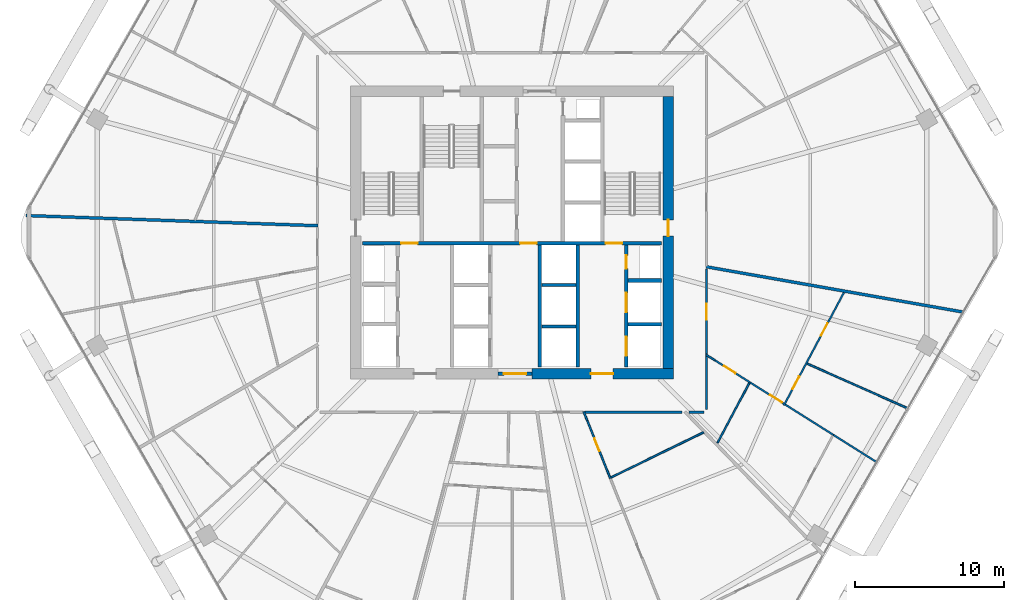
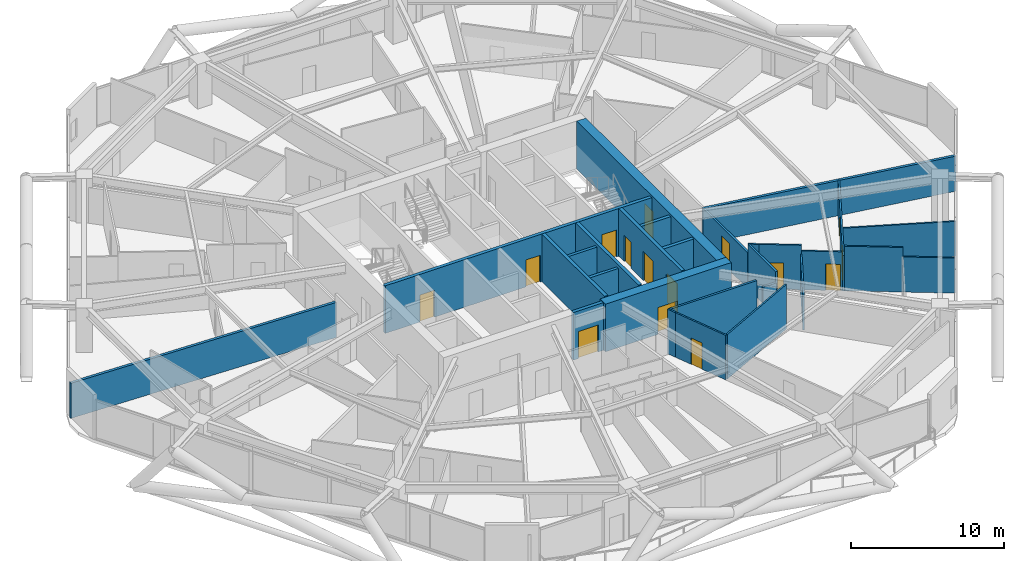
# One storey, part 29 of 35: 28 walls, 15 doors, 15 openings.
"""IFC4 building model written with IfcOpenShell, lengths in metres."""

import ifcopenshell
import ifcopenshell.guid

model = None  # the IFC model being written
_history = None  # IfcOwnerHistory: only IFC2X3 demands one
_inside = {}  # id of a spatial element -> (the spatial element, [elements in it])
_under = {}  # id of a project, library or spatial element -> (it, [spatial elements below it])
_declared = {}  # id of a project -> (the project, [libraries it declares])
_typed = {}  # id of a type object -> (the type object, [elements of that type])
_made_of = {}  # id of a material, layer set ... -> (it, [elements and type objects made of it])


def new_model(schema):
    """Start an empty IFC model of exactly this schema.

    Asked for "IFC4X3", IfcOpenShell would pick the latest addendum, in which some entities
    have other attributes; the version numbers below select the first issue.
    IFC2X3 requires an IfcOwnerHistory on every rooted entity: one is made here for all.
    """
    global model, _history
    if schema == "IFC4X3":
        model = ifcopenshell.file(schema_version=(4, 3, 0, 0))
    else:
        model = ifcopenshell.file(schema=schema)
    _inside.clear()
    _under.clear()
    _declared.clear()
    _typed.clear()
    _made_of.clear()
    _history = None
    if model.schema == "IFC2X3":
        org = make("IfcOrganization", Name="unknown")
        user = make(
            "IfcPersonAndOrganization",
            ThePerson=make("IfcPerson", FamilyName="unknown"),
            TheOrganization=org,
        )
        app = make(
            "IfcApplication",
            ApplicationDeveloper=org,
            Version="unknown",
            ApplicationFullName="unknown",
            ApplicationIdentifier="unknown",
        )
        _history = make(
            "IfcOwnerHistory",
            OwningUser=user,
            OwningApplication=app,
            ChangeAction="ADDED",
            CreationDate=0,
        )
    return model


def make(cls, **values):
    """One entity of the class cls with the attributes given. An attribute that is None is left unset."""
    return model.create_entity(
        cls, **{name: value for name, value in values.items() if value is not None}
    )


def rooted(cls, **values):
    """An entity with a GlobalId (a new one), such as an element, a storey or a relation."""
    return make(cls, GlobalId=ifcopenshell.guid.new(), OwnerHistory=_history, **values)


def si_unit(unit_type, name, prefix=None):
    """IfcSIUnit, for example si_unit("LENGTHUNIT", "METRE", prefix="MILLI")."""
    return make("IfcSIUnit", UnitType=unit_type, Prefix=prefix, Name=name)


def assignment(units):
    """IfcUnitAssignment: the units of a project."""
    return None if units is None else make("IfcUnitAssignment", Units=units)


def point(xyz):
    """IfcCartesianPoint."""
    return None if xyz is None else make("IfcCartesianPoint", Coordinates=xyz)


def direction(xyz):
    """IfcDirection."""
    return None if xyz is None else make("IfcDirection", DirectionRatios=xyz)


def frame(location, z_axis=None, x_axis=None):
    """IfcAxis2Placement3D, a coordinate frame: its origin and axes. An axis left out is left unset."""
    return make(
        "IfcAxis2Placement3D",
        Location=point(location),
        Axis=direction(z_axis),
        RefDirection=direction(x_axis),
    )


def frame_2d(location, x_axis=None):
    """IfcAxis2Placement2D, a coordinate frame in the plane: its origin and x axis."""
    return make(
        "IfcAxis2Placement2D", Location=point(location), RefDirection=direction(x_axis)
    )


def origin():
    """The frame at (0, 0, 0) with its axes left unset."""
    return frame((0.0, 0.0, 0.0))


def place(relative_to, where):
    """IfcLocalPlacement: puts the frame where relative to a parent placement (None: the world)."""
    return make(
        "IfcLocalPlacement", PlacementRelTo=relative_to, RelativePlacement=where
    )


def context(
    kind, dimensions, precision=None, world=None, true_north=None, identifier=None
):
    """IfcGeometricRepresentationContext, for example the 3D "Model" context."""
    return make(
        "IfcGeometricRepresentationContext",
        ContextIdentifier=identifier,
        ContextType=kind,
        CoordinateSpaceDimension=dimensions,
        Precision=precision,
        WorldCoordinateSystem=world,
        TrueNorth=true_north,
    )


def subcontext(parent, identifier, kind, view, scale=None):
    """IfcGeometricRepresentationSubContext, for example "Body" below "Model"."""
    return make(
        "IfcGeometricRepresentationSubContext",
        ContextIdentifier=identifier,
        ContextType=kind,
        ParentContext=parent,
        TargetScale=scale,
        TargetView=view,
    )


def project(units=None, contexts=None):
    """IfcProject with its units and contexts."""
    return rooted(
        "IfcProject",
        Name="project",
        RepresentationContexts=contexts,
        UnitsInContext=assignment(units),
    )


def spatial(cls, under=None, at=None, **own):
    """A site, building, storey or space (cls), placed at a placement, below another one or the project."""
    s = rooted(cls, ObjectPlacement=at, **own)
    if under is not None:
        _under.setdefault(under.id(), (under, []))[1].append(s)
    return s


def profile(cls, at=None, kind="AREA", **sizes):
    """A parametric profile (cls). Its sizes go by their IFC names, for example OverallWidth=200.0."""
    return make(cls, ProfileType=kind, Position=at, **sizes)


def rectangle(**sizes):
    """IfcRectangleProfileDef."""
    return profile("IfcRectangleProfileDef", **sizes)


def extrude(swept, where, along, depth):
    """IfcExtrudedAreaSolid: the profile swept, set in the frame where, extruded along a direction by depth."""
    return make(
        "IfcExtrudedAreaSolid",
        SweptArea=swept,
        Position=where,
        ExtrudedDirection=direction(along),
        Depth=depth,
    )


def shape(context_of_items, identifier, shape_type, items):
    """IfcShapeRepresentation: the items that make up one representation, for example the "Body"."""
    return make(
        "IfcShapeRepresentation",
        ContextOfItems=context_of_items,
        RepresentationIdentifier=identifier,
        RepresentationType=shape_type,
        Items=items,
    )


def material(Name=None, Category=None):
    """IfcMaterial."""
    return make("IfcMaterial", Name=Name, Category=Category)


def layer(
    of_material, thickness, ventilated=None, Name=None, Category=None, Priority=None
):
    """IfcMaterialLayer: one layer of a wall or slab, of a material (None: an air gap)."""
    return make(
        "IfcMaterialLayer",
        Material=of_material,
        LayerThickness=thickness,
        IsVentilated=ventilated,
        Name=Name,
        Category=Category,
        Priority=Priority,
    )


def layer_set(layers, Name=None):
    """IfcMaterialLayerSet."""
    return make("IfcMaterialLayerSet", MaterialLayers=layers, LayerSetName=Name)


def made_of(thing, what):
    """Note that an element or type object is made of a material, layer set ...; save() writes the relation."""
    if what is not None:
        _made_of.setdefault(what.id(), (what, []))[1].append(thing)
    return thing


def type_object(cls, material=None, **own):
    """A type object (cls), such as IfcWallType, which elements share."""
    return made_of(rooted(cls, **own), material)


def element(
    cls,
    number,
    at=None,
    inside=None,
    cuts=None,
    type_object=None,
    material=None,
    context=None,
    identifier="Body",
    shape_type=None,
    held_by="IfcProductDefinitionShape",
    body=None,
    shapes=None,
    **own,
):
    """One element of the class cls, such as IfcWall. Its Tag is "e" and its number.

    at: its placement. inside: the storey or other place that contains it. cuts: it is an
    opening in that element (IfcRelVoidsElement). A single representation is given by context,
    identifier, shape_type and body (its items); several are given by shapes. held_by: the class
    of the entity that holds the representations. save() writes the other relations.
    """
    e = rooted(cls, Tag="e%d" % number, ObjectPlacement=at, **own)
    if body is not None:
        shapes = [shape(context, identifier, shape_type, body)]
    if shapes is not None:
        e.Representation = make(held_by, Representations=shapes)
    if inside is not None:
        _inside.setdefault(inside.id(), (inside, []))[1].append(e)
    if cuts is not None:
        rooted(
            "IfcRelVoidsElement", RelatingBuildingElement=cuts, RelatedOpeningElement=e
        )
    if type_object is not None:
        _typed.setdefault(type_object.id(), (type_object, []))[1].append(e)
    return made_of(e, material)


def fill(opening, filler):
    """IfcRelFillsElement: the door or window that sits in an opening."""
    return rooted(
        "IfcRelFillsElement",
        RelatingOpeningElement=opening,
        RelatedBuildingElement=filler,
    )


def aggregate(whole, parts):
    """IfcRelAggregates: a whole, such as a stair, and the parts it consists of."""
    return rooted("IfcRelAggregates", RelatingObject=whole, RelatedObjects=parts)


def save(model, path):
    """Write the relations noted so far, then the file.

    IfcRelAggregates (storeys below a building ...), IfcRelContainedInSpatialStructure (elements
    in a storey), IfcRelDefinesByType, IfcRelAssociatesMaterial and IfcRelDeclares: one each for
    every whole, place, type object, material and project.
    """
    for whole, parts in _under.values():
        aggregate(whole, parts)
    for where, things in _inside.values():
        rooted(
            "IfcRelContainedInSpatialStructure",
            RelatedElements=things,
            RelatingStructure=where,
        )
    for kind, things in _typed.values():
        rooted("IfcRelDefinesByType", RelatedObjects=things, RelatingType=kind)
    for what, things in _made_of.values():
        rooted("IfcRelAssociatesMaterial", RelatedObjects=things, RelatingMaterial=what)
    for by, libraries in _declared.values():
        rooted("IfcRelDeclares", RelatingContext=by, RelatedDefinitions=libraries)
    model.write(path)


model = new_model("IFC4")

# Units and contexts
model_context = context("Model", 3, precision=1e-05, world=origin(), true_north=direction((0.0, 1.0)))
body_context = subcontext(model_context, "Body", "Model", "MODEL_VIEW")
ifc_project = project(units=[si_unit("LENGTHUNIT", "METRE"), si_unit("AREAUNIT", "SQUARE_METRE"), si_unit("VOLUMEUNIT", "CUBIC_METRE"), si_unit("PLANEANGLEUNIT", "RADIAN"), si_unit("MASSUNIT", "GRAM", prefix="KILO")], contexts=[model_context])

# Site, building, storey
site_placement = place(None, origin())
site = spatial("IfcSite", under=ifc_project, at=site_placement, CompositionType="ELEMENT")
building_placement = place(site_placement, origin())
building = spatial("IfcBuilding", under=site, at=building_placement, Name="Zuhravey Tower", CompositionType="ELEMENT")
storey_placement = place(building_placement, frame((0.0, 0.0, 138.0)))
storey = spatial("IfcBuildingStorey", under=building, at=storey_placement, Name="L34", CompositionType="ELEMENT", Elevation=138.0)

# Wall, opening, door
ifc_material_1 = material(Name="Concrete C60/75", Category="concrete")
ifc_layer_1 = layer(ifc_material_1, 0.699951171875)
ifc_layer_set_1 = layer_set([ifc_layer_1], Name="Concrete C60/75")
wall_type_1 = type_object("IfcWallType", Name="Core Shear Wall 700", PredefinedType="SHEAR", material=ifc_layer_set_1)
wall_1_placement = place(storey_placement, frame((37.35009765625, 22.5, 0.0), z_axis=(0.0, 0.0, 1.0), x_axis=(1.0, 0.0, 0.0)))
wall_1 = element("IfcWall", 1, at=wall_1_placement, inside=storey, type_object=wall_type_1, Name="L34 South-East Core Shear Wall CW70", PredefinedType="SHEAR", context=body_context, shape_type="SweptSolid", body=[
    extrude(rectangle(XDim=9.5, YDim=0.699951171875, at=frame_2d((4.75, 0.0))), origin(), (0.0, 0.0, 1.0), 3.800048828125),
])
opening_1_placement = place(wall_1_placement, frame((3.949951171875, 0.0, 0.0)))
opening_1 = element("IfcOpeningElement", 2, at=opening_1_placement, cuts=wall_1, Name="Opening FFD1", PredefinedType="OPENING", context=body_context, shape_type="SweptSolid", body=[
    extrude(rectangle(XDim=1.5, YDim=2.14990234375, at=frame_2d((0.75, 1.074951171875))), frame((0.0, 0.362060546875, 0.0), z_axis=(0.0, -1.0, 0.0), x_axis=(1.0, 0.0, 0.0)), (0.0, 0.0, 1.0), 0.723876953125),
])
ifc_material_2 = material(Name="Galvanised fire-rated steel leaf", Category="steel")
door_type_1 = type_object("IfcDoorType", Name="Firefighting Lobby Double Door 1500x2150", OperationType="DOUBLE_DOOR_SINGLE_SWING", PredefinedType="DOOR", material=ifc_material_2)
door_1_placement = place(opening_1_placement, origin())
door_1 = element("IfcDoor", 3, at=door_1_placement, inside=storey, type_object=door_type_1, Name="L34 Firefighting Lobby East Door", OperationType="DOUBLE_DOOR_SINGLE_SWING", OverallHeight=2.14990234375, OverallWidth=1.5, PredefinedType="DOOR", context=body_context, shape_type="SweptSolid", body=[
    extrude(rectangle(XDim=1.5, YDim=2.14990234375, at=frame_2d((0.75, 1.074951171875))), frame((0.0, 0.02490234375, 0.0), z_axis=(0.0, -1.0, 0.0), x_axis=(1.0, 0.0, 0.0)), (0.0, 0.0, 1.0), 0.050048828125),
])
fill(opening_1, door_1)

wall_2_placement = place(storey_placement, frame((46.5, 22.85009765625, 0.0), z_axis=(0.0, 0.0, 1.0), x_axis=(0.0, 1.0, 0.0)))
wall_2 = element("IfcWall", 4, at=wall_2_placement, inside=storey, type_object=wall_type_1, Name="L34 East Core Shear Wall CW70", PredefinedType="SHEAR", context=body_context, shape_type="SweptSolid", body=[
    extrude(rectangle(XDim=18.2998046875, YDim=0.699951171875, at=frame_2d((9.14990234375, 0.0))), origin(), (0.0, 0.0, 1.0), 3.800048828125),
])
opening_2_placement = place(wall_2_placement, frame((8.89990234375, 0.0, 0.0)))
opening_2 = element("IfcOpeningElement", 5, at=opening_2_placement, cuts=wall_2, Name="Opening STD1", PredefinedType="OPENING", context=body_context, shape_type="SweptSolid", body=[
    extrude(rectangle(XDim=1.10009765625, YDim=2.14990234375, at=frame_2d((0.550048828125, 1.074951171875))), frame((0.0, 0.362060546875, 0.0), z_axis=(0.0, -1.0, 0.0), x_axis=(1.0, 0.0, 0.0)), (0.0, 0.0, 1.0), 0.723876953125),
])
door_type_2 = type_object("IfcDoorType", Name="Protected Stair Fire Door 1100x2150", OperationType="NOTDEFINED", PredefinedType="USERDEFINED", material=ifc_material_2)
door_2_placement = place(opening_2_placement, origin())
door_2 = element("IfcDoor", 6, at=door_2_placement, inside=storey, type_object=door_type_2, Name="L34 Stair ST2 Door", ObjectType="EXITDOOR", OperationType="SINGLE_SWING_LEFT", OverallHeight=2.14990234375, OverallWidth=1.10009765625, PredefinedType="USERDEFINED", context=body_context, shape_type="SweptSolid", body=[
    extrude(rectangle(XDim=1.10009765625, YDim=2.14990234375, at=frame_2d((0.550048828125, 1.074951171875))), frame((0.0, 0.02490234375, 0.0), z_axis=(0.0, -1.0, 0.0), x_axis=(1.0, 0.0, 0.0)), (0.0, 0.0, 1.0), 0.050048828125),
])
fill(opening_2, door_2)

ifc_material_3 = material(Name="Gypsum fire-rated stud partition")
ifc_layer_2 = layer(ifc_material_3, 0.159912109375)
ifc_layer_set_2 = layer_set([ifc_layer_2], Name="Gypsum fire-rated stud partition")
wall_type_2 = type_object("IfcWallType", Name="Corridor Fire Partition 160", PredefinedType="PARTITIONING", material=ifc_layer_set_2)
wall_3_placement = place(storey_placement, frame((49.080078125, 23.78662109375, 0.0), z_axis=(0.0, 0.0, 1.0), x_axis=(0.0, 1.0, 0.0)))
wall_3 = element("IfcWall", 7, at=wall_3_placement, inside=storey, type_object=wall_type_2, Name="L34 IW16 Partition 064", PredefinedType="PARTITIONING", context=body_context, shape_type="SweptSolid", body=[
    extrude(rectangle(XDim=5.768798828125, YDim=0.159912109375, at=frame_2d((2.88427734375, 0.0))), origin(), (0.0, 0.0, 1.0), 2.85009765625),
])
opening_3_placement = place(wall_3_placement, frame((2.359375, 0.0, 0.0)))
opening_3 = element("IfcOpeningElement", 8, at=opening_3_placement, cuts=wall_3, Name="Opening APD1", PredefinedType="OPENING", context=body_context, shape_type="SweptSolid", body=[
    extrude(rectangle(XDim=1.050048828125, YDim=2.14990234375, at=frame_2d((0.52490234375, 1.074951171875))), frame((0.0, 0.092041015625, 0.0), z_axis=(0.0, -1.0, 0.0), x_axis=(1.0, 0.0, 0.0)), (0.0, 0.0, 1.0), 0.183837890625),
])
ifc_material_4 = material(Name="Solid-core oak fire-rated leaf")
door_type_3 = type_object("IfcDoorType", Name="Apartment Entrance Fire Door 1050x2150", OperationType="NOTDEFINED", PredefinedType="DOOR", material=ifc_material_4)
door_3_placement = place(opening_3_placement, frame((1.050048828125, 0.0, 0.0), z_axis=(0.0, 0.0, 1.0), x_axis=(-1.0, 0.0, 0.0)))
door_3 = element("IfcDoor", 9, at=door_3_placement, inside=storey, type_object=door_type_3, Name="L34 Door 064.1", OperationType="SINGLE_SWING_RIGHT", OverallHeight=2.14990234375, OverallWidth=1.050048828125, PredefinedType="DOOR", context=body_context, shape_type="SweptSolid", body=[
    extrude(rectangle(XDim=1.050048828125, YDim=2.14990234375, at=frame_2d((0.52490234375, 1.074951171875))), frame((0.0, 0.02490234375, 0.0), z_axis=(0.0, -1.0, 0.0), x_axis=(1.0, 0.0, 0.0)), (0.0, 0.0, 1.0), 0.050048828125),
])
fill(opening_3, door_3)

# Walls
wall_4_placement = place(storey_placement, frame((40.90478515625, 19.919921875, 0.0), z_axis=(0.0, 0.0, 1.0), x_axis=(1.0, 0.0, 0.0)))
element("IfcWall", 10, at=wall_4_placement, inside=storey, type_object=wall_type_2, Name="L34 IW16 Partition 130", PredefinedType="PARTITIONING", context=body_context, shape_type="SweptSolid", body=[
    extrude(rectangle(XDim=6.531005859375, YDim=0.159912109375, at=frame_2d((3.265625, 0.0))), origin(), (0.0, 0.0, 1.0), 3.550048828125),
])
wall_5_placement = place(storey_placement, frame((49.080078125, 20.10009765625, 0.0), z_axis=(0.0, 0.0, 1.0), x_axis=(0.0, 1.0, 0.0)))
element("IfcWall", 11, at=wall_5_placement, inside=storey, type_object=wall_type_2, Name="L34 IW16 Partition 131", PredefinedType="PARTITIONING", context=body_context, shape_type="SweptSolid", body=[
    extrude(rectangle(XDim=3.582763671875, YDim=0.159912109375, at=frame_2d((1.79150390625, 0.0))), origin(), (0.0, 0.0, 1.0), 3.550048828125),
])
wall_6_placement = place(storey_placement, frame((47.89892578125, 19.919921875, 0.0), z_axis=(0.0, 0.0, 1.0), x_axis=(1.0, 0.0, 0.0)))
element("IfcWall", 12, at=wall_6_placement, inside=storey, type_object=wall_type_2, Name="L34 IW16 Partition 132", PredefinedType="PARTITIONING", context=body_context, shape_type="SweptSolid", body=[
    extrude(rectangle(XDim=1.0009765625, YDim=0.159912109375, at=frame_2d((0.50048828125, 0.0))), origin(), (0.0, 0.0, 1.0), 2.85009765625),
])

# Wall, opening, door
ifc_material_5 = material(Name="Concrete C50/60", Category="concrete")
ifc_layer_3 = layer(ifc_material_5, 0.25)
ifc_layer_set_3 = layer_set([ifc_layer_3], Name="Concrete C50/60")
wall_type_3 = type_object("IfcWallType", Name="Firefighting Shaft & Stair Wall 250", PredefinedType="SOLIDWALL", material=ifc_layer_set_3)
wall_7_placement = place(storey_placement, frame((35.06005859375, 22.5, 0.0), z_axis=(0.0, 0.0, 1.0), x_axis=(1.0, 0.0, 0.0)))
wall_7 = element("IfcWall", 13, at=wall_7_placement, inside=storey, type_object=wall_type_3, Name="L34 FW25 Shaft Wall 001", PredefinedType="SOLIDWALL", context=body_context, shape_type="SweptSolid", body=[
    extrude(rectangle(XDim=2.280029296875, YDim=0.25, at=frame_2d((1.14013671875, 0.0))), origin(), (0.0, 0.0, 1.0), 3.800048828125),
])
opening_4_placement = place(wall_7_placement, frame((0.389892578125, 0.0, 0.0)))
opening_4 = element("IfcOpeningElement", 14, at=opening_4_placement, cuts=wall_7, Name="Opening FFD1", PredefinedType="OPENING", context=body_context, shape_type="SweptSolid", body=[
    extrude(rectangle(XDim=1.5, YDim=2.14990234375, at=frame_2d((0.75, 1.074951171875))), frame((0.0, 0.136962890625, 0.0), z_axis=(0.0, -1.0, 0.0), x_axis=(1.0, 0.0, 0.0)), (0.0, 0.0, 1.0), 0.27392578125),
])
door_4_placement = place(opening_4_placement, frame((1.5, 0.0, 0.0), z_axis=(0.0, 0.0, 1.0), x_axis=(-1.0, 0.0, 0.0)))
door_4 = element("IfcDoor", 15, at=door_4_placement, inside=storey, type_object=door_type_1, Name="L34 South Lift Lobby Exit Door", OperationType="DOUBLE_DOOR_SINGLE_SWING", OverallHeight=2.14990234375, OverallWidth=1.5, PredefinedType="DOOR", context=body_context, shape_type="SweptSolid", body=[
    extrude(rectangle(XDim=1.5, YDim=2.14990234375, at=frame_2d((0.75, 1.074951171875))), frame((0.0, 0.02490234375, 0.0), z_axis=(0.0, -1.0, 0.0), x_axis=(1.0, 0.0, 0.0)), (0.0, 0.0, 1.0), 0.050048828125),
])
fill(opening_4, door_4)

# Wall, openings, doors
wall_8_placement = place(storey_placement, frame((25.949951171875, 31.27490234375, 0.0), z_axis=(0.0, 0.0, 1.0), x_axis=(1.0, 0.0, 0.0)))
wall_8 = element("IfcWall", 16, at=wall_8_placement, inside=storey, type_object=wall_type_3, Name="L34 FW25 Shaft Wall 003", PredefinedType="SOLIDWALL", context=body_context, shape_type="SweptSolid", body=[
    extrude(rectangle(XDim=20.10009765625, YDim=0.25, at=frame_2d((10.050048828125, 0.0))), origin(), (0.0, 0.0, 1.0), 3.800048828125),
])
opening_5_placement = place(wall_8_placement, frame((2.60009765625, 0.0, 0.0)))
opening_5 = element("IfcOpeningElement", 17, at=opening_5_placement, cuts=wall_8, Name="Opening STD1", PredefinedType="OPENING", context=body_context, shape_type="SweptSolid", body=[
    extrude(rectangle(XDim=1.10009765625, YDim=2.14990234375, at=frame_2d((0.550048828125, 1.074951171875))), frame((0.0, 0.136962890625, 0.0), z_axis=(0.0, -1.0, 0.0), x_axis=(1.0, 0.0, 0.0)), (0.0, 0.0, 1.0), 0.27392578125),
])
opening_6_placement = place(wall_8_placement, frame((10.60009765625, 0.0, 0.0)))
opening_6 = element("IfcOpeningElement", 18, at=opening_6_placement, cuts=wall_8, Name="Opening STD1", PredefinedType="OPENING", context=body_context, shape_type="SweptSolid", body=[
    extrude(rectangle(XDim=1.10009765625, YDim=2.14990234375, at=frame_2d((0.550048828125, 1.074951171875))), frame((0.0, 0.136962890625, 0.0), z_axis=(0.0, -1.0, 0.0), x_axis=(1.0, 0.0, 0.0)), (0.0, 0.0, 1.0), 0.27392578125),
])
opening_7_placement = place(wall_8_placement, frame((16.35009765625, 0.0, 0.0)))
opening_7 = element("IfcOpeningElement", 19, at=opening_7_placement, cuts=wall_8, Name="Opening STD1", PredefinedType="OPENING", context=body_context, shape_type="SweptSolid", body=[
    extrude(rectangle(XDim=1.10009765625, YDim=2.14990234375, at=frame_2d((0.550048828125, 1.074951171875))), frame((0.0, 0.136962890625, 0.0), z_axis=(0.0, -1.0, 0.0), x_axis=(1.0, 0.0, 0.0)), (0.0, 0.0, 1.0), 0.27392578125),
])
door_5_placement = place(opening_5_placement, origin())
door_5 = element("IfcDoor", 20, at=door_5_placement, inside=storey, type_object=door_type_2, Name="L34 FFL-W to ST1 Door", ObjectType="EXITDOOR", OperationType="SINGLE_SWING_LEFT", OverallHeight=2.14990234375, OverallWidth=1.10009765625, PredefinedType="USERDEFINED", context=body_context, shape_type="SweptSolid", body=[
    extrude(rectangle(XDim=1.10009765625, YDim=2.14990234375, at=frame_2d((0.550048828125, 1.074951171875))), frame((0.0, 0.02490234375, 0.0), z_axis=(0.0, -1.0, 0.0), x_axis=(1.0, 0.0, 0.0)), (0.0, 0.0, 1.0), 0.050048828125),
])
fill(opening_5, door_5)
door_6_placement = place(opening_6_placement, origin())
door_6 = element("IfcDoor", 21, at=door_6_placement, inside=storey, type_object=door_type_2, Name="L34 Core Lobby Link Door", ObjectType="EXITDOOR", OperationType="SINGLE_SWING_RIGHT", OverallHeight=2.14990234375, OverallWidth=1.10009765625, PredefinedType="USERDEFINED", context=body_context, shape_type="SweptSolid", body=[
    extrude(rectangle(XDim=1.10009765625, YDim=2.14990234375, at=frame_2d((0.550048828125, 1.074951171875))), frame((0.0, 0.02490234375, 0.0), z_axis=(0.0, -1.0, 0.0), x_axis=(1.0, 0.0, 0.0)), (0.0, 0.0, 1.0), 0.050048828125),
])
fill(opening_6, door_6)
door_7_placement = place(opening_7_placement, origin())
door_7 = element("IfcDoor", 22, at=door_7_placement, inside=storey, type_object=door_type_2, Name="L34 FFL-E to ST2 Door", ObjectType="EXITDOOR", OperationType="SINGLE_SWING_LEFT", OverallHeight=2.14990234375, OverallWidth=1.10009765625, PredefinedType="USERDEFINED", context=body_context, shape_type="SweptSolid", body=[
    extrude(rectangle(XDim=1.10009765625, YDim=2.14990234375, at=frame_2d((0.550048828125, 1.074951171875))), frame((0.0, 0.02490234375, 0.0), z_axis=(0.0, -1.0, 0.0), x_axis=(1.0, 0.0, 0.0)), (0.0, 0.0, 1.0), 0.050048828125),
])
fill(opening_7, door_7)

# Walls
for number, where, z_axis, x_axis, name in (
    (23, (37.875, 22.949951171875, 0.0), (0.0, 0.0, 1.0), (0.0, 1.0, 0.0), "L34 FW25 Shaft Wall 014"),
    (24, (40.425048828125, 22.949951171875, 0.0), (0.0, 0.0, 1.0), (0.0, 1.0, 0.0), "L34 FW25 Shaft Wall 015"),
):
    element("IfcWall", number, at=place(storey_placement, frame(where, z_axis=z_axis, x_axis=x_axis)), inside=storey, type_object=wall_type_3, Name=name, PredefinedType="SOLIDWALL", context=body_context, shape_type="SweptSolid", body=[
        extrude(rectangle(XDim=8.199951171875, YDim=0.25, at=frame_2d((4.10009765625, 0.0))), origin(), (0.0, 0.0, 1.0), 3.800048828125),
    ])
for number, where, z_axis, x_axis, name in (
    (25, (43.800048828125, 25.824951171875, 0.0), (0.0, 0.0, 1.0), (1.0, 0.0, 0.0), "L34 FW25 Shaft Wall 016"),
    (26, (43.800048828125, 28.77490234375, 0.0), (0.0, 0.0, 1.0), (1.0, 0.0, 0.0), "L34 FW25 Shaft Wall 017"),
):
    element("IfcWall", number, at=place(storey_placement, frame(where, z_axis=z_axis, x_axis=x_axis)), inside=storey, type_object=wall_type_3, Name=name, PredefinedType="SOLIDWALL", context=body_context, shape_type="SweptSolid", body=[
        extrude(rectangle(XDim=2.25, YDim=0.25, at=frame_2d((1.125, 0.0))), origin(), (0.0, 0.0, 1.0), 3.800048828125),
    ])

# Wall, openings, doors
wall_9_placement = place(storey_placement, frame((43.675048828125, 22.949951171875, 0.0), z_axis=(0.0, 0.0, 1.0), x_axis=(0.0, 1.0, 0.0)))
wall_9 = element("IfcWall", 27, at=wall_9_placement, inside=storey, type_object=wall_type_3, Name="L34 FW25 Shaft Wall 018", PredefinedType="SOLIDWALL", context=body_context, shape_type="SweptSolid", body=[
    extrude(rectangle(XDim=8.199951171875, YDim=0.25, at=frame_2d((4.10009765625, 0.0))), origin(), (0.0, 0.0, 1.0), 3.800048828125),
])
opening_8_placement = place(wall_9_placement, frame((0.75, 0.0, 0.0)))
opening_8 = element("IfcOpeningElement", 28, at=opening_8_placement, cuts=wall_9, Name="Opening LD2", PredefinedType="OPENING", context=body_context, shape_type="SweptSolid", body=[
    extrude(rectangle(XDim=1.300048828125, YDim=2.300048828125, at=frame_2d((0.64990234375, 1.14990234375))), frame((0.0, 0.136962890625, 0.0), z_axis=(0.0, -1.0, 0.0), x_axis=(1.0, 0.0, 0.0)), (0.0, 0.0, 1.0), 0.27392578125),
])
opening_9_placement = place(wall_9_placement, frame((3.699951171875, 0.0, 0.0)))
opening_9 = element("IfcOpeningElement", 29, at=opening_9_placement, cuts=wall_9, Name="Opening LD2", PredefinedType="OPENING", context=body_context, shape_type="SweptSolid", body=[
    extrude(rectangle(XDim=1.300048828125, YDim=2.300048828125, at=frame_2d((0.64990234375, 1.14990234375))), frame((0.0, 0.136962890625, 0.0), z_axis=(0.0, -1.0, 0.0), x_axis=(1.0, 0.0, 0.0)), (0.0, 0.0, 1.0), 0.27392578125),
])
opening_10_placement = place(wall_9_placement, frame((6.6201171875, 0.0, 0.0)))
opening_10 = element("IfcOpeningElement", 30, at=opening_10_placement, cuts=wall_9, Name="Opening RSD1", PredefinedType="OPENING", context=body_context, shape_type="SweptSolid", body=[
    extrude(rectangle(XDim=0.89990234375, YDim=2.10009765625, at=frame_2d((0.449951171875, 1.050048828125))), frame((0.0, 0.136962890625, 0.0), z_axis=(0.0, -1.0, 0.0), x_axis=(1.0, 0.0, 0.0)), (0.0, 0.0, 1.0), 0.27392578125),
])
ifc_material_6 = material(Name="Brushed stainless steel", Category="steel")
door_type_4 = type_object("IfcDoorType", Name="Freight & Stretcher Lift Sliding Door 1300x2300", OperationType="DOUBLE_DOOR_SLIDING", PredefinedType="DOOR", material=ifc_material_6)
door_8_placement = place(opening_8_placement, origin())
door_8 = element("IfcDoor", 31, at=door_8_placement, inside=storey, type_object=door_type_4, Name="L34 Lift FF2 Landing Door", OperationType="DOUBLE_DOOR_SLIDING", OverallHeight=2.300048828125, OverallWidth=1.300048828125, PredefinedType="DOOR", context=body_context, shape_type="SweptSolid", body=[
    extrude(rectangle(XDim=1.300048828125, YDim=2.300048828125, at=frame_2d((0.64990234375, 1.14990234375))), frame((0.0, 0.02490234375, 0.0), z_axis=(0.0, -1.0, 0.0), x_axis=(1.0, 0.0, 0.0)), (0.0, 0.0, 1.0), 0.050048828125),
])
fill(opening_8, door_8)
door_9_placement = place(opening_9_placement, origin())
door_9 = element("IfcDoor", 32, at=door_9_placement, inside=storey, type_object=door_type_4, Name="L34 Lift SV1 Landing Door", OperationType="DOUBLE_DOOR_SLIDING", OverallHeight=2.300048828125, OverallWidth=1.300048828125, PredefinedType="DOOR", context=body_context, shape_type="SweptSolid", body=[
    extrude(rectangle(XDim=1.300048828125, YDim=2.300048828125, at=frame_2d((0.64990234375, 1.14990234375))), frame((0.0, 0.02490234375, 0.0), z_axis=(0.0, -1.0, 0.0), x_axis=(1.0, 0.0, 0.0)), (0.0, 0.0, 1.0), 0.050048828125),
])
fill(opening_9, door_9)
ifc_material_7 = material(Name="Galvanised fire-rated steel access leaf", Category="steel")
door_type_5 = type_object("IfcDoorType", Name="Riser & Shaft Access Fire Door 900x2100", OperationType="NOTDEFINED", PredefinedType="DOOR", material=ifc_material_7)
door_10_placement = place(opening_10_placement, origin())
door_10 = element("IfcDoor", 33, at=door_10_placement, inside=storey, type_object=door_type_5, Name="L34 Plumbing Riser Door", OperationType="SINGLE_SWING_RIGHT", OverallHeight=2.10009765625, OverallWidth=0.89990234375, PredefinedType="DOOR", context=body_context, shape_type="SweptSolid", body=[
    extrude(rectangle(XDim=0.89990234375, YDim=2.10009765625, at=frame_2d((0.449951171875, 1.050048828125))), frame((0.0, 0.02490234375, 0.0), z_axis=(0.0, -1.0, 0.0), x_axis=(1.0, 0.0, 0.0)), (0.0, 0.0, 1.0), 0.050048828125),
])
fill(opening_10, door_10)

# Walls
ifc_material_8 = material(Name="Gypsum double-stud party assembly")
ifc_layer_4 = layer(ifc_material_8, 0.199951171875)
ifc_layer_set_4 = layer_set([ifc_layer_4], Name="Gypsum double-stud party assembly")
wall_type_4 = type_object("IfcWallType", Name="Inter-Tenancy Party Wall 200", PredefinedType="PARTITIONING", material=ifc_layer_set_4)
wall_10_placement = place(storey_placement, frame((22.9599609375, 32.455322265625, 0.0), z_axis=(0.0, 0.0, 1.0), x_axis=(-0.999390490405, 0.03490913473, 0.0)))
element("IfcWall", 34, at=wall_10_placement, inside=storey, type_object=wall_type_4, Name="L34 IW20 Partition 094", PredefinedType="PARTITIONING", context=body_context, shape_type="SweptSolid", body=[
    extrude(rectangle(XDim=19.64501953125, YDim=0.199951171875, at=frame_2d((9.822509765625, 0.0))), origin(), (0.0, 0.0, 1.0), 2.800048828125),
])
wall_11_placement = place(storey_placement, frame((49.0400390625, 29.70068359375, 0.0), z_axis=(0.0, 0.0, 1.0), x_axis=(0.98480788117, -0.173647450844, 0.0)))
element("IfcWall", 35, at=wall_11_placement, inside=storey, type_object=wall_type_4, Name="L34 IW20 Partition 120", PredefinedType="PARTITIONING", context=body_context, shape_type="SweptSolid", body=[
    extrude(rectangle(XDim=17.575927734375, YDim=0.199951171875, at=frame_2d((8.7880859375, 0.0))), origin(), (0.0, 0.0, 1.0), 2.800048828125),
])
ifc_material_9 = material(Name="Gypsum acoustic stud assembly")
ifc_layer_5 = layer(ifc_material_9, 0.219970703125)
ifc_layer_set_5 = layer_set([ifc_layer_5], Name="Gypsum acoustic stud assembly")
wall_type_5 = type_object("IfcWallType", Name="School Acoustic Compartment Wall 220", PredefinedType="PARTITIONING", material=ifc_layer_set_5)
for number, where, z_axis, x_axis, name in (
    (36, (38.008056640625, 25.675048828125, 0.0), (0.0, 0.0, 1.0), (1.0, 0.0, 0.0), "L34 IW22 Partition 073"),
    (37, (38.008056640625, 28.47509765625, 0.0), (0.0, 0.0, 1.0), (1.0, 0.0, 0.0), "L34 IW22 Partition 074"),
):
    element("IfcWall", number, at=place(storey_placement, frame(where, z_axis=z_axis, x_axis=x_axis)), inside=storey, type_object=wall_type_5, Name=name, PredefinedType="PARTITIONING", context=body_context, shape_type="SweptSolid", body=[
        extrude(rectangle(XDim=2.283935546875, YDim=0.219970703125, at=frame_2d((1.14208984375, 0.0))), origin(), (0.0, 0.0, 1.0), 3.550048828125),
    ])

# Wall, opening, door
ifc_material_10 = material(Name="Gypsum metal-stud partition")
ifc_layer_6 = layer(ifc_material_10, 0.1201171875)
ifc_layer_set_6 = layer_set([ifc_layer_6], Name="Gypsum metal-stud partition")
wall_type_6 = type_object("IfcWallType", Name="Unit Internal Partition 120", PredefinedType="PARTITIONING", material=ifc_layer_set_6)
wall_12_placement = place(storey_placement, frame((41.059814453125, 19.35009765625, 0.0), z_axis=(0.0, 0.0, 1.0), x_axis=(0.371320023402, -0.928504948948, 0.0)))
wall_12 = element("IfcWall", 38, at=wall_12_placement, inside=storey, type_object=wall_type_6, Name="L34 IW12 Partition 055", PredefinedType="PARTITIONING", context=body_context, shape_type="SweptSolid", body=[
    extrude(rectangle(XDim=4.17041015625, YDim=0.1201171875, at=frame_2d((2.085205078125, 0.0))), origin(), (0.0, 0.0, 1.0), 3.550048828125),
])
opening_11_placement = place(wall_12_placement, frame((1.301513671875, 0.0, 0.0)))
opening_11 = element("IfcOpeningElement", 39, at=opening_11_placement, cuts=wall_12, Name="Opening WCD1", PredefinedType="OPENING", context=body_context, shape_type="SweptSolid", body=[
    extrude(rectangle(XDim=0.89990234375, YDim=2.10009765625, at=frame_2d((0.449951171875, 1.050048828125))), frame((0.0, 0.072021484375, 0.0), z_axis=(0.0, -1.0, 0.0), x_axis=(1.0, 0.0, 0.0)), (0.0, 0.0, 1.0), 0.14404296875),
])
ifc_material_11 = material(Name="Moisture-resistant timber leaf", Category="wood")
door_type_6 = type_object("IfcDoorType", Name="Bathroom & WC Internal Door 900x2100", OperationType="NOTDEFINED", PredefinedType="DOOR", material=ifc_material_11)
door_11_placement = place(opening_11_placement, origin())
door_11 = element("IfcDoor", 40, at=door_11_placement, inside=storey, type_object=door_type_6, Name="Apartment L34-08 Bathroom Door", OperationType="SINGLE_SWING_LEFT", OverallHeight=2.10009765625, OverallWidth=0.89990234375, PredefinedType="DOOR", context=body_context, shape_type="SweptSolid", body=[
    extrude(rectangle(XDim=0.89990234375, YDim=2.10009765625, at=frame_2d((0.449951171875, 1.050048828125))), frame((0.0, 0.02490234375, 0.0), z_axis=(0.0, -1.0, 0.0), x_axis=(1.0, 0.0, 0.0)), (0.0, 0.0, 1.0), 0.050048828125),
])
fill(opening_11, door_11)

# Wall, openings, doors
wall_13_placement = place(storey_placement, frame((54.279541015625, 20.37060546875, 0.0), z_axis=(0.0, 0.0, 1.0), x_axis=(0.469462335531, 0.882952499015, 0.0)))
wall_13 = element("IfcWall", 41, at=wall_13_placement, inside=storey, type_object=wall_type_6, Name="L34 IW12 Partition 059", PredefinedType="PARTITIONING", context=body_context, shape_type="SweptSolid", body=[
    extrude(rectangle(XDim=8.6015625, YDim=0.1201171875, at=frame_2d((4.30078125, 0.0))), origin(), (0.0, 0.0, 1.0), 2.85009765625),
])
opening_12_placement = place(wall_13_placement, frame((1.25244140625, 0.0, 0.0)))
opening_12 = element("IfcOpeningElement", 42, at=opening_12_placement, cuts=wall_13, Name="Opening IND1", PredefinedType="OPENING", context=body_context, shape_type="SweptSolid", body=[
    extrude(rectangle(XDim=0.949951171875, YDim=2.10009765625, at=frame_2d((0.47509765625, 1.050048828125))), frame((0.0, 0.072021484375, 0.0), z_axis=(0.0, -1.0, 0.0), x_axis=(1.0, 0.0, 0.0)), (0.0, 0.0, 1.0), 0.14404296875),
])
opening_13_placement = place(wall_13_placement, frame((5.31298828125, 0.0, 0.0)))
opening_13 = element("IfcOpeningElement", 43, at=opening_13_placement, cuts=wall_13, Name="Opening IND1", PredefinedType="OPENING", context=body_context, shape_type="SweptSolid", body=[
    extrude(rectangle(XDim=0.949951171875, YDim=2.10009765625, at=frame_2d((0.47509765625, 1.050048828125))), frame((0.0, 0.072021484375, 0.0), z_axis=(0.0, -1.0, 0.0), x_axis=(1.0, 0.0, 0.0)), (0.0, 0.0, 1.0), 0.14404296875),
])
ifc_material_12 = material(Name="Painted engineered timber leaf", Category="wood")
door_type_7 = type_object("IfcDoorType", Name="Internal Room & Bedroom Door 950x2100", OperationType="NOTDEFINED", PredefinedType="DOOR", material=ifc_material_12)
door_12_placement = place(opening_12_placement, frame((0.949951171875, 0.0, 0.0), z_axis=(0.0, 0.0, 1.0), x_axis=(-1.0, 0.0, 0.0)))
door_12 = element("IfcDoor", 44, at=door_12_placement, inside=storey, type_object=door_type_7, Name="Apartment L34-09 Family Study Door", OperationType="SINGLE_SWING_LEFT", OverallHeight=2.10009765625, OverallWidth=0.949951171875, PredefinedType="DOOR", context=body_context, shape_type="SweptSolid", body=[
    extrude(rectangle(XDim=0.949951171875, YDim=2.10009765625, at=frame_2d((0.47509765625, 1.050048828125))), frame((0.0, 0.02490234375, 0.0), z_axis=(0.0, -1.0, 0.0), x_axis=(1.0, 0.0, 0.0)), (0.0, 0.0, 1.0), 0.050048828125),
])
fill(opening_12, door_12)
door_13_placement = place(opening_13_placement, frame((0.949951171875, 0.0, 0.0), z_axis=(0.0, 0.0, 1.0), x_axis=(-1.0, 0.0, 0.0)))
door_13 = element("IfcDoor", 45, at=door_13_placement, inside=storey, type_object=door_type_7, Name="Apartment L34-09 Dining Room Door", OperationType="SINGLE_SWING_RIGHT", OverallHeight=2.10009765625, OverallWidth=0.949951171875, PredefinedType="DOOR", context=body_context, shape_type="SweptSolid", body=[
    extrude(rectangle(XDim=0.949951171875, YDim=2.10009765625, at=frame_2d((0.47509765625, 1.050048828125))), frame((0.0, 0.02490234375, 0.0), z_axis=(0.0, -1.0, 0.0), x_axis=(1.0, 0.0, 0.0)), (0.0, 0.0, 1.0), 0.050048828125),
])
fill(opening_13, door_13)

# Wall, opening, door
wall_14_placement = place(storey_placement, frame((49.64990234375, 23.404296875, 0.0), z_axis=(0.0, 0.0, 1.0), x_axis=(0.846190371544, -0.532880713769, 0.0)))
wall_14 = element("IfcWall", 46, at=wall_14_placement, inside=storey, type_object=wall_type_6, Name="L34 IW12 Partition 060", PredefinedType="PARTITIONING", context=body_context, shape_type="SweptSolid", body=[
    extrude(rectangle(XDim=2.7841796875, YDim=0.1201171875, at=frame_2d((1.39208984375, 0.0))), origin(), (0.0, 0.0, 1.0), 3.550048828125),
])
opening_14_placement = place(wall_14_placement, frame((0.71923828125, 0.0, 0.0)))
opening_14 = element("IfcOpeningElement", 47, at=opening_14_placement, cuts=wall_14, Name="Opening WCD1", PredefinedType="OPENING", context=body_context, shape_type="SweptSolid", body=[
    extrude(rectangle(XDim=0.89990234375, YDim=2.10009765625, at=frame_2d((0.449951171875, 1.050048828125))), frame((0.0, 0.072021484375, 0.0), z_axis=(0.0, -1.0, 0.0), x_axis=(1.0, 0.0, 0.0)), (0.0, 0.0, 1.0), 0.14404296875),
])
door_14_placement = place(opening_14_placement, frame((0.89990234375, 0.0, 0.0), z_axis=(0.0, 0.0, 1.0), x_axis=(-1.0, 0.0, 0.0)))
door_14 = element("IfcDoor", 48, at=door_14_placement, inside=storey, type_object=door_type_6, Name="Apartment L34-09 Bathroom Door", OperationType="SINGLE_SWING_LEFT", OverallHeight=2.10009765625, OverallWidth=0.89990234375, PredefinedType="DOOR", context=body_context, shape_type="SweptSolid", body=[
    extrude(rectangle(XDim=0.89990234375, YDim=2.10009765625, at=frame_2d((0.449951171875, 1.050048828125))), frame((0.0, 0.02490234375, 0.0), z_axis=(0.0, -1.0, 0.0), x_axis=(1.0, 0.0, 0.0)), (0.0, 0.0, 1.0), 0.050048828125),
])
fill(opening_14, door_14)

wall_15_placement = place(storey_placement, frame((52.005859375, 21.920654296875, 0.0), z_axis=(0.0, 0.0, 1.0), x_axis=(0.846193199802, -0.532876222596, 0.0)))
wall_15 = element("IfcWall", 49, at=wall_15_placement, inside=storey, type_object=wall_type_6, Name="L34 IW12 Partition 061", PredefinedType="PARTITIONING", context=body_context, shape_type="SweptSolid", body=[
    extrude(rectangle(XDim=2.67431640625, YDim=0.1201171875, at=frame_2d((1.337158203125, 0.0))), origin(), (0.0, 0.0, 1.0), 3.10009765625),
])
opening_15_placement = place(wall_15_placement, frame((1.58447265625, 0.0, 0.0)))
opening_15 = element("IfcOpeningElement", 50, at=opening_15_placement, cuts=wall_15, Name="Opening IND1", PredefinedType="OPENING", context=body_context, shape_type="SweptSolid", body=[
    extrude(rectangle(XDim=0.949951171875, YDim=2.10009765625, at=frame_2d((0.47509765625, 1.050048828125))), frame((0.0, 0.072021484375, 0.0), z_axis=(0.0, -1.0, 0.0), x_axis=(1.0, 0.0, 0.0)), (0.0, 0.0, 1.0), 0.14404296875),
])
door_15_placement = place(opening_15_placement, frame((0.949951171875, 0.0, 0.0), z_axis=(0.0, 0.0, 1.0), x_axis=(-1.0, 0.0, 0.0)))
door_15 = element("IfcDoor", 51, at=door_15_placement, inside=storey, type_object=door_type_7, Name="Apartment L34-09 Home Office Door", OperationType="SINGLE_SWING_RIGHT", OverallHeight=2.10009765625, OverallWidth=0.949951171875, PredefinedType="DOOR", context=body_context, shape_type="SweptSolid", body=[
    extrude(rectangle(XDim=0.949951171875, YDim=2.10009765625, at=frame_2d((0.47509765625, 1.050048828125))), frame((0.0, 0.02490234375, 0.0), z_axis=(0.0, -1.0, 0.0), x_axis=(1.0, 0.0, 0.0)), (0.0, 0.0, 1.0), 0.050048828125),
])
fill(opening_15, door_15)

# Walls
wall_16_placement = place(storey_placement, frame((54.38427734375, 20.4228515625, 0.0), z_axis=(0.0, 0.0, 1.0), x_axis=(0.846198695146, -0.532867496037, 0.0)))
element("IfcWall", 52, at=wall_16_placement, inside=storey, type_object=wall_type_6, Name="L34 IW12 Partition 062", PredefinedType="PARTITIONING", context=body_context, shape_type="SweptSolid", body=[
    extrude(rectangle(XDim=3.821044921875, YDim=0.1201171875, at=frame_2d((1.91064453125, 0.0))), origin(), (0.0, 0.0, 1.0), 3.550048828125),
])
wall_17_placement = place(storey_placement, frame((40.814453125, 19.963134765625, 0.0), z_axis=(0.0, 0.0, 1.0), x_axis=(0.371581909809, -0.928400174657, 0.0)))
element("IfcWall", 53, at=wall_17_placement, inside=storey, type_object=wall_type_6, Name="L34 IW12 Partition 111", PredefinedType="PARTITIONING", context=body_context, shape_type="SweptSolid", body=[
    extrude(rectangle(XDim=0.660400390625, YDim=0.1201171875, at=frame_2d((0.330078125, 0.0))), origin(), (0.0, 0.0, 1.0), 3.550048828125),
])
wall_18_placement = place(storey_placement, frame((42.660400390625, 15.53076171875, 0.0), z_axis=(0.0, 0.0, 1.0), x_axis=(0.898796900982, 0.438365293773, 0.0)))
element("IfcWall", 54, at=wall_18_placement, inside=storey, type_object=wall_type_6, Name="L34 IW12 Partition 113", PredefinedType="PARTITIONING", context=body_context, shape_type="SweptSolid", body=[
    extrude(rectangle(XDim=6.926025390625, YDim=0.1201171875, at=frame_2d((3.462890625, 0.0))), origin(), (0.0, 0.0, 1.0), 3.550048828125),
])
wall_19_placement = place(storey_placement, frame((55.850830078125, 23.18115234375, 0.0), z_axis=(0.0, 0.0, 1.0), x_axis=(0.913861683545, -0.406025643707, 0.0)))
element("IfcWall", 55, at=wall_19_placement, inside=storey, type_object=wall_type_6, Name="L34 IW12 Partition 116", PredefinedType="PARTITIONING", context=body_context, shape_type="SweptSolid", body=[
    extrude(rectangle(XDim=7.428955078125, YDim=0.1201171875, at=frame_2d((3.71435546875, 0.0))), origin(), (0.0, 0.0, 1.0), 2.800048828125),
])
wall_20_placement = place(storey_placement, frame((49.04248046875, 23.78662109375, 0.0), z_axis=(0.0, 0.0, 1.0), x_axis=(0.846312356727, -0.532686957651, 0.0)))
element("IfcWall", 56, at=wall_20_placement, inside=storey, type_object=wall_type_6, Name="L34 IW12 Partition 117", PredefinedType="PARTITIONING", context=body_context, shape_type="SweptSolid", body=[
    extrude(rectangle(XDim=0.7177734375, YDim=0.1201171875, at=frame_2d((0.35888671875, 0.0))), origin(), (0.0, 0.0, 1.0), 3.550048828125),
])
wall_21_placement = place(storey_placement, frame((57.61767578125, 18.38671875, 0.0), z_axis=(0.0, 0.0, 1.0), x_axis=(0.846190145903, -0.532881072076, 0.0)))
element("IfcWall", 57, at=wall_21_placement, inside=storey, type_object=wall_type_6, Name="L34 IW12 Partition 118", PredefinedType="PARTITIONING", context=body_context, shape_type="SweptSolid", body=[
    extrude(rectangle(XDim=3.43798828125, YDim=0.1201171875, at=frame_2d((1.718994140625, 0.0))), origin(), (0.0, 0.0, 1.0), 2.800048828125),
])
wall_22_placement = place(storey_placement, frame((49.813720703125, 17.85107421875, 0.0), z_axis=(0.0, 0.0, 1.0), x_axis=(0.469430775165, 0.882969278813, 0.0)))
element("IfcWall", 58, at=wall_22_placement, inside=storey, type_object=wall_type_6, Name="L34 IW12 Partition 119", PredefinedType="PARTITIONING", context=body_context, shape_type="SweptSolid", body=[
    extrude(rectangle(XDim=4.555908203125, YDim=0.1201171875, at=frame_2d((2.27783203125, 0.0))), origin(), (0.0, 0.0, 1.0), 2.85009765625),
])

save(model, "model.ifc")
